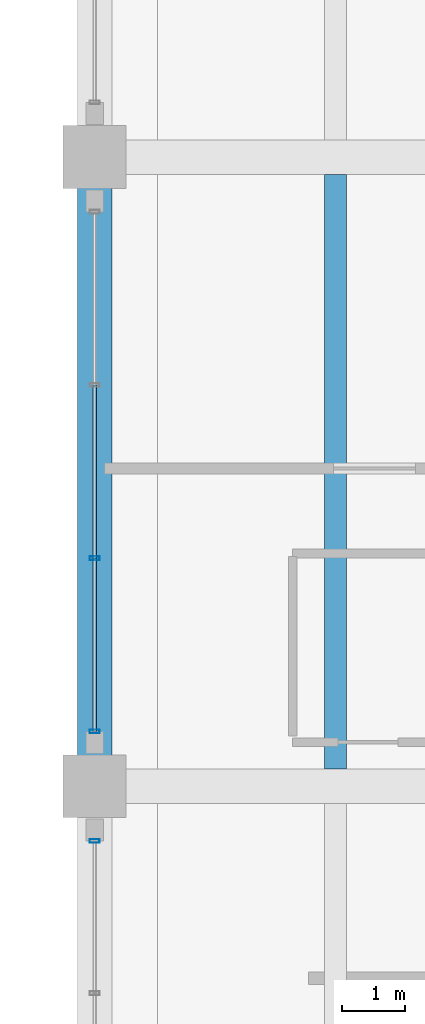
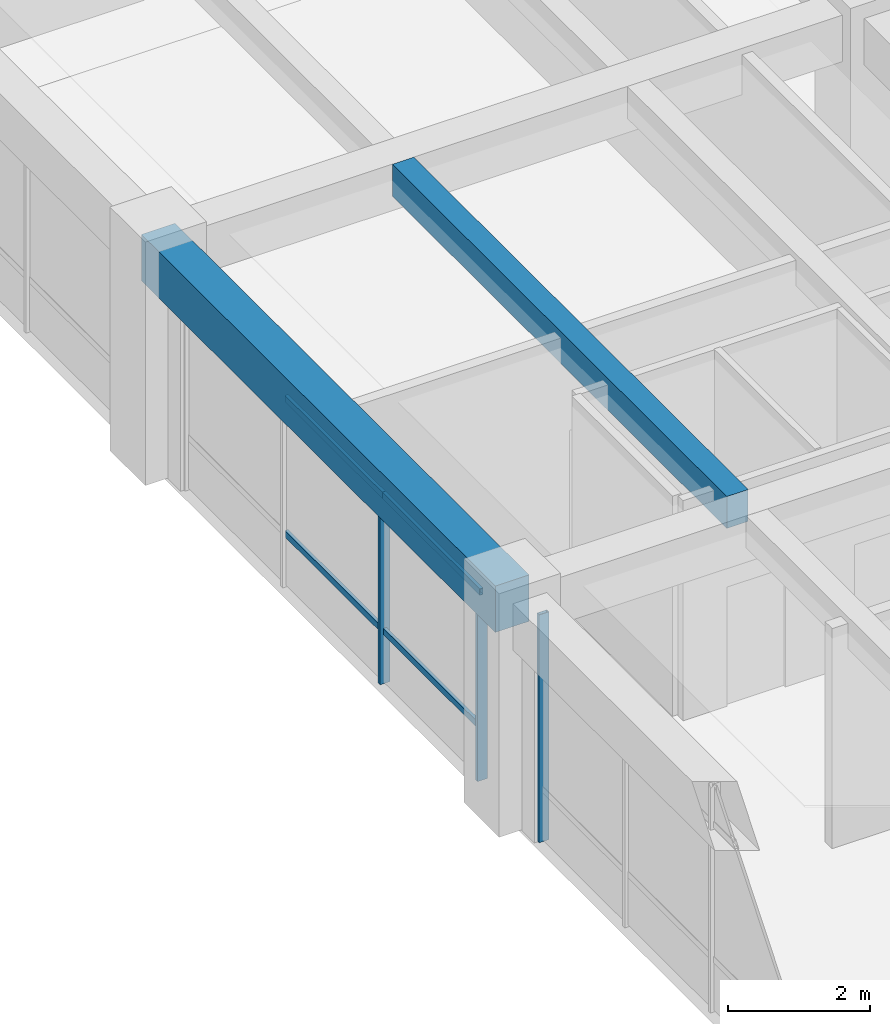
# One storey, part 38 of 98: 7 members, 2 beams, 2 elements without a shape of their own.
"""IFC4 building model written with IfcOpenShell, lengths in metres."""

import ifcopenshell
import ifcopenshell.guid

model = None  # the IFC model being written
_history = None  # IfcOwnerHistory: only IFC2X3 demands one
_inside = {}  # id of a spatial element -> (the spatial element, [elements in it])
_under = {}  # id of a project, library or spatial element -> (it, [spatial elements below it])
_declared = {}  # id of a project -> (the project, [libraries it declares])
_typed = {}  # id of a type object -> (the type object, [elements of that type])
_made_of = {}  # id of a material, layer set ... -> (it, [elements and type objects made of it])


def new_model(schema):
    """Start an empty IFC model of exactly this schema.

    Asked for "IFC4X3", IfcOpenShell would pick the latest addendum, in which some entities
    have other attributes; the version numbers below select the first issue.
    IFC2X3 requires an IfcOwnerHistory on every rooted entity: one is made here for all.
    """
    global model, _history
    if schema == "IFC4X3":
        model = ifcopenshell.file(schema_version=(4, 3, 0, 0))
    else:
        model = ifcopenshell.file(schema=schema)
    _inside.clear()
    _under.clear()
    _declared.clear()
    _typed.clear()
    _made_of.clear()
    _history = None
    if model.schema == "IFC2X3":
        org = make("IfcOrganization", Name="unknown")
        user = make(
            "IfcPersonAndOrganization",
            ThePerson=make("IfcPerson", FamilyName="unknown"),
            TheOrganization=org,
        )
        app = make(
            "IfcApplication",
            ApplicationDeveloper=org,
            Version="unknown",
            ApplicationFullName="unknown",
            ApplicationIdentifier="unknown",
        )
        _history = make(
            "IfcOwnerHistory",
            OwningUser=user,
            OwningApplication=app,
            ChangeAction="ADDED",
            CreationDate=0,
        )
    return model


def make(cls, **values):
    """One entity of the class cls with the attributes given. An attribute that is None is left unset."""
    return model.create_entity(
        cls, **{name: value for name, value in values.items() if value is not None}
    )


def rooted(cls, **values):
    """An entity with a GlobalId (a new one), such as an element, a storey or a relation."""
    return make(cls, GlobalId=ifcopenshell.guid.new(), OwnerHistory=_history, **values)


def si_unit(unit_type, name, prefix=None):
    """IfcSIUnit, for example si_unit("LENGTHUNIT", "METRE", prefix="MILLI")."""
    return make("IfcSIUnit", UnitType=unit_type, Prefix=prefix, Name=name)


def assignment(units):
    """IfcUnitAssignment: the units of a project."""
    return None if units is None else make("IfcUnitAssignment", Units=units)


def point(xyz):
    """IfcCartesianPoint."""
    return None if xyz is None else make("IfcCartesianPoint", Coordinates=xyz)


def direction(xyz):
    """IfcDirection."""
    return None if xyz is None else make("IfcDirection", DirectionRatios=xyz)


def frame(location, z_axis=None, x_axis=None):
    """IfcAxis2Placement3D, a coordinate frame: its origin and axes. An axis left out is left unset."""
    return make(
        "IfcAxis2Placement3D",
        Location=point(location),
        Axis=direction(z_axis),
        RefDirection=direction(x_axis),
    )


def frame_2d(location, x_axis=None):
    """IfcAxis2Placement2D, a coordinate frame in the plane: its origin and x axis."""
    return make(
        "IfcAxis2Placement2D", Location=point(location), RefDirection=direction(x_axis)
    )


def origin():
    """The frame at (0, 0, 0) with its axes left unset."""
    return frame((0.0, 0.0, 0.0))


def origin_2d():
    """The frame at (0, 0) in the plane with its x axis left unset."""
    return frame_2d((0.0, 0.0))


def place(relative_to, where):
    """IfcLocalPlacement: puts the frame where relative to a parent placement (None: the world)."""
    return make(
        "IfcLocalPlacement", PlacementRelTo=relative_to, RelativePlacement=where
    )


def context(
    kind, dimensions, precision=None, world=None, true_north=None, identifier=None
):
    """IfcGeometricRepresentationContext, for example the 3D "Model" context."""
    return make(
        "IfcGeometricRepresentationContext",
        ContextIdentifier=identifier,
        ContextType=kind,
        CoordinateSpaceDimension=dimensions,
        Precision=precision,
        WorldCoordinateSystem=world,
        TrueNorth=true_north,
    )


def subcontext(parent, identifier, kind, view, scale=None):
    """IfcGeometricRepresentationSubContext, for example "Body" below "Model"."""
    return make(
        "IfcGeometricRepresentationSubContext",
        ContextIdentifier=identifier,
        ContextType=kind,
        ParentContext=parent,
        TargetScale=scale,
        TargetView=view,
    )


def project(units=None, contexts=None):
    """IfcProject with its units and contexts."""
    return rooted(
        "IfcProject",
        Name="project",
        RepresentationContexts=contexts,
        UnitsInContext=assignment(units),
    )


def spatial(cls, under=None, at=None, **own):
    """A site, building, storey or space (cls), placed at a placement, below another one or the project."""
    s = rooted(cls, ObjectPlacement=at, **own)
    if under is not None:
        _under.setdefault(under.id(), (under, []))[1].append(s)
    return s


def profile(cls, at=None, kind="AREA", **sizes):
    """A parametric profile (cls). Its sizes go by their IFC names, for example OverallWidth=200.0."""
    return make(cls, ProfileType=kind, Position=at, **sizes)


def rectangle(**sizes):
    """IfcRectangleProfileDef."""
    return profile("IfcRectangleProfileDef", **sizes)


def hollow_rectangle(**sizes):
    """IfcRectangleHollowProfileDef."""
    return profile("IfcRectangleHollowProfileDef", **sizes)


def extrude(swept, where, along, depth):
    """IfcExtrudedAreaSolid: the profile swept, set in the frame where, extruded along a direction by depth."""
    return make(
        "IfcExtrudedAreaSolid",
        SweptArea=swept,
        Position=where,
        ExtrudedDirection=direction(along),
        Depth=depth,
    )


def shape(context_of_items, identifier, shape_type, items):
    """IfcShapeRepresentation: the items that make up one representation, for example the "Body"."""
    return make(
        "IfcShapeRepresentation",
        ContextOfItems=context_of_items,
        RepresentationIdentifier=identifier,
        RepresentationType=shape_type,
        Items=items,
    )


def material(Name=None, Category=None):
    """IfcMaterial."""
    return make("IfcMaterial", Name=Name, Category=Category)


def material_profile(
    of_material, cross_section, Name=None, Category=None, Priority=None
):
    """IfcMaterialProfile: a cross section and its material."""
    return make(
        "IfcMaterialProfile",
        Name=Name,
        Material=of_material,
        Profile=cross_section,
        Priority=Priority,
        Category=Category,
    )


def profile_set(profiles, Name=None, composite=None):
    """IfcMaterialProfileSet."""
    return make(
        "IfcMaterialProfileSet",
        Name=Name,
        MaterialProfiles=profiles,
        CompositeProfile=composite,
    )


def made_of(thing, what):
    """Note that an element or type object is made of a material, layer set ...; save() writes the relation."""
    if what is not None:
        _made_of.setdefault(what.id(), (what, []))[1].append(thing)
    return thing


def type_object(cls, material=None, **own):
    """A type object (cls), such as IfcWallType, which elements share."""
    return made_of(rooted(cls, **own), material)


def element(
    cls,
    number,
    at=None,
    inside=None,
    cuts=None,
    type_object=None,
    material=None,
    context=None,
    identifier="Body",
    shape_type=None,
    held_by="IfcProductDefinitionShape",
    body=None,
    shapes=None,
    **own,
):
    """One element of the class cls, such as IfcWall. Its Tag is "e" and its number.

    at: its placement. inside: the storey or other place that contains it. cuts: it is an
    opening in that element (IfcRelVoidsElement). A single representation is given by context,
    identifier, shape_type and body (its items); several are given by shapes. held_by: the class
    of the entity that holds the representations. save() writes the other relations.
    """
    e = rooted(cls, Tag="e%d" % number, ObjectPlacement=at, **own)
    if body is not None:
        shapes = [shape(context, identifier, shape_type, body)]
    if shapes is not None:
        e.Representation = make(held_by, Representations=shapes)
    if inside is not None:
        _inside.setdefault(inside.id(), (inside, []))[1].append(e)
    if cuts is not None:
        rooted(
            "IfcRelVoidsElement", RelatingBuildingElement=cuts, RelatedOpeningElement=e
        )
    if type_object is not None:
        _typed.setdefault(type_object.id(), (type_object, []))[1].append(e)
    return made_of(e, material)


def aggregate(whole, parts):
    """IfcRelAggregates: a whole, such as a stair, and the parts it consists of."""
    return rooted("IfcRelAggregates", RelatingObject=whole, RelatedObjects=parts)


def save(model, path):
    """Write the relations noted so far, then the file.

    IfcRelAggregates (storeys below a building ...), IfcRelContainedInSpatialStructure (elements
    in a storey), IfcRelDefinesByType, IfcRelAssociatesMaterial and IfcRelDeclares: one each for
    every whole, place, type object, material and project.
    """
    for whole, parts in _under.values():
        aggregate(whole, parts)
    for where, things in _inside.values():
        rooted(
            "IfcRelContainedInSpatialStructure",
            RelatedElements=things,
            RelatingStructure=where,
        )
    for kind, things in _typed.values():
        rooted("IfcRelDefinesByType", RelatedObjects=things, RelatingType=kind)
    for what, things in _made_of.values():
        rooted("IfcRelAssociatesMaterial", RelatedObjects=things, RelatingMaterial=what)
    for by, libraries in _declared.values():
        rooted("IfcRelDeclares", RelatingContext=by, RelatedDefinitions=libraries)
    model.write(path)


model = new_model("IFC4")

# Units and contexts
model_context = context("Model", 3, precision=1e-05, world=origin(), true_north=direction((0.0, 1.0)))
body_context = subcontext(model_context, "Body", "Model", "MODEL_VIEW")
ifc_project = project(units=[si_unit("LENGTHUNIT", "METRE"), si_unit("AREAUNIT", "SQUARE_METRE"), si_unit("VOLUMEUNIT", "CUBIC_METRE"), si_unit("PLANEANGLEUNIT", "RADIAN"), si_unit("MASSUNIT", "GRAM", prefix="KILO")], contexts=[model_context])

# Site, building, storey
site_placement = place(None, origin())
site = spatial("IfcSite", under=ifc_project, at=site_placement, CompositionType="ELEMENT")
building_placement = place(site_placement, origin())
building = spatial("IfcBuilding", under=site, at=building_placement, Name="Ologun Quay Terminus", CompositionType="ELEMENT")
storey_placement = place(building_placement, frame((0.0, 0.0, 4.199951171875)))
storey = spatial("IfcBuildingStorey", under=building, at=storey_placement, Name="L01", CompositionType="ELEMENT", Elevation=4.199951171875)

# Curtain wall, member
ifc_material_1 = material(Name="Aluminium 6063-T6", Category="aluminium")
curtain_wall_type = type_object("IfcCurtainWallType", Name="Rain-Garden East Courtyard Curtain Wall L01 9200x3850", PredefinedType="USERDEFINED", material=ifc_material_1)
curtain_wall_1_placement = place(storey_placement, origin())
curtain_wall_1 = element("IfcCurtainWall", 1, at=curtain_wall_1_placement, inside=storey, type_object=curtain_wall_type, Name="CW-18 Curtain Wall CW-L01-128", ObjectType="UNITISED CURTAIN WALL", PredefinedType="USERDEFINED")
ifc_material_2 = material(Name="Aluminium 6063-T6", Category="aluminium")
ifc_material_profile_1 = material_profile(ifc_material_2, hollow_rectangle(XDim=0.06005859375, YDim=0.159912109375, WallThickness=0.00390625, at=origin_2d()), Name="ALU 160x60x4")
ifc_profile_set_1 = profile_set([ifc_material_profile_1], Name="Aluminium 6063-T6")
member_type_1 = type_object("IfcMemberType", Name="Courtyard Screen Mullion 160x65", PredefinedType="MULLION", material=ifc_profile_set_1)
member_1_placement = place(storey_placement, frame((115.0, 93.929931640625, 0.0), z_axis=(0.0, 0.0, 1.0), x_axis=(0.0, 1.0, 0.0)))
member_1 = element("IfcMember", 2, at=member_1_placement, type_object=member_type_1, Name="CW-L01-128 Mullion 4", PredefinedType="MULLION", context=body_context, shape_type="SweptSolid", body=[
    extrude(hollow_rectangle(XDim=0.06005859375, YDim=0.159912109375, WallThickness=0.00390625, at=origin_2d()), origin(), (0.0, 0.0, 1.0), 3.929931640625),
])
aggregate(curtain_wall_1, [member_1])

# Curtain wall, members
curtain_wall_2_placement = place(storey_placement, origin())
curtain_wall_2 = element("IfcCurtainWall", 3, at=curtain_wall_2_placement, inside=storey, type_object=curtain_wall_type, Name="CW-18 Curtain Wall CW-L01-129", ObjectType="UNITISED CURTAIN WALL", PredefinedType="USERDEFINED")
member_2_placement = place(storey_placement, frame((115.0, 95.669921875, 0.0), z_axis=(0.0, 0.0, 1.0), x_axis=(0.0, 1.0, 0.0)))
member_2 = element("IfcMember", 4, at=member_2_placement, type_object=member_type_1, Name="CW-L01-129 Mullion 1", PredefinedType="MULLION", context=body_context, shape_type="SweptSolid", body=[
    extrude(hollow_rectangle(XDim=0.06005859375, YDim=0.159912109375, WallThickness=0.00390625, at=origin_2d()), origin(), (0.0, 0.0, 1.0), 3.929931640625),
])
member_3_placement = place(storey_placement, frame((115.0, 98.42333984375, 0.0), z_axis=(0.0, 0.0, 1.0), x_axis=(0.0, 1.0, 0.0)))
member_3 = element("IfcMember", 5, at=member_3_placement, type_object=member_type_1, Name="CW-L01-129 Mullion 2", PredefinedType="MULLION", context=body_context, shape_type="SweptSolid", body=[
    extrude(hollow_rectangle(XDim=0.06005859375, YDim=0.159912109375, WallThickness=0.00390625, at=origin_2d()), origin(), (0.0, 0.0, 1.0), 3.929931640625),
])
ifc_material_3 = material(Name="Aluminium 6063-T6", Category="aluminium")
ifc_material_profile_2 = material_profile(ifc_material_3, hollow_rectangle(XDim=0.054931640625, YDim=0.110107421875, WallThickness=0.00390625, at=origin_2d()), Name="ALU 110x55x4")
ifc_profile_set_2 = profile_set([ifc_material_profile_2], Name="Aluminium 6063-T6")
member_type_2 = type_object("IfcMemberType", Name="Courtyard Screen Transom 110x55", PredefinedType="USERDEFINED", material=ifc_profile_set_2)
member_4_placement = place(storey_placement, frame((115.0, 95.669921875, 0.900146484375), z_axis=(0.0, 1.0, 0.0), x_axis=(-1.0, 0.0, 0.0)))
member_4 = element("IfcMember", 6, at=member_4_placement, type_object=member_type_2, Name="CW-L01-129 Transom B1-1", ObjectType="TRANSOM", PredefinedType="USERDEFINED", context=body_context, shape_type="SweptSolid", body=[
    extrude(hollow_rectangle(XDim=0.054931640625, YDim=0.110107421875, WallThickness=0.00390625, at=origin_2d()), origin(), (0.0, 0.0, 1.0), 2.75341796875),
])
member_5_placement = place(storey_placement, frame((115.0, 95.669921875, 3.22998046875), z_axis=(0.0, 1.0, 0.0), x_axis=(-1.0, 0.0, 0.0)))
member_5 = element("IfcMember", 7, at=member_5_placement, type_object=member_type_2, Name="CW-L01-129 Transom B1-2", ObjectType="TRANSOM", PredefinedType="USERDEFINED", context=body_context, shape_type="SweptSolid", body=[
    extrude(hollow_rectangle(XDim=0.054931640625, YDim=0.110107421875, WallThickness=0.00390625, at=origin_2d()), origin(), (0.0, 0.0, 1.0), 2.75341796875),
])
member_6_placement = place(storey_placement, frame((115.0, 98.42333984375, 0.900146484375), z_axis=(0.0, 1.0, 0.0), x_axis=(-1.0, 0.0, 0.0)))
member_6 = element("IfcMember", 8, at=member_6_placement, type_object=member_type_2, Name="CW-L01-129 Transom B2-1", ObjectType="TRANSOM", PredefinedType="USERDEFINED", context=body_context, shape_type="SweptSolid", body=[
    extrude(hollow_rectangle(XDim=0.054931640625, YDim=0.110107421875, WallThickness=0.00390625, at=origin_2d()), origin(), (0.0, 0.0, 1.0), 2.75341796875),
])
member_7_placement = place(storey_placement, frame((115.0, 98.42333984375, 3.22998046875), z_axis=(0.0, 1.0, 0.0), x_axis=(-1.0, 0.0, 0.0)))
member_7 = element("IfcMember", 9, at=member_7_placement, type_object=member_type_2, Name="CW-L01-129 Transom B2-2", ObjectType="TRANSOM", PredefinedType="USERDEFINED", context=body_context, shape_type="SweptSolid", body=[
    extrude(hollow_rectangle(XDim=0.054931640625, YDim=0.110107421875, WallThickness=0.00390625, at=origin_2d()), origin(), (0.0, 0.0, 1.0), 2.75341796875),
])
aggregate(curtain_wall_2, [member_2, member_3, member_4, member_5, member_6, member_7])

# Beams
ifc_material_4 = material(Name="Concrete C40/50", Category="concrete")
ifc_material_profile_3 = material_profile(ifc_material_4, rectangle(XDim=0.550048828125, YDim=0.800048828125, at=origin_2d()), Name="RC 550x800")
ifc_profile_set_3 = profile_set([ifc_material_profile_3], Name="Concrete C40/50")
beam_type_1 = type_object("IfcBeamType", Name="Courtyard Wing Primary Girder 550x800", PredefinedType="BEAM", material=ifc_profile_set_3)
beam_1_placement = place(storey_placement, frame((115.0, 94.800048828125, 3.550048828125), z_axis=(0.0, 1.0, 0.0), x_axis=(-1.0, 0.0, 0.0)))
element("IfcBeam", 10, at=beam_1_placement, inside=storey, type_object=beam_type_1, Name="B4 Beam 11/H L01", PredefinedType="BEAM", context=body_context, shape_type="SweptSolid", body=[
    extrude(rectangle(XDim=0.550048828125, YDim=0.800048828125, at=origin_2d()), origin(), (0.0, 0.0, 1.0), 10.0),
])
ifc_material_5 = material(Name="Concrete C40/50", Category="concrete")
ifc_material_profile_4 = material_profile(ifc_material_5, rectangle(XDim=0.35009765625, YDim=0.550048828125, at=origin_2d()), Name="RC 350x550")
ifc_profile_set_4 = profile_set([ifc_material_profile_4], Name="Concrete C40/50")
beam_type_2 = type_object("IfcBeamType", Name="Courtyard Wing Secondary Joist 350x550", PredefinedType="JOIST", material=ifc_profile_set_4)
beam_2_placement = place(storey_placement, frame((118.833251953125, 95.074951171875, 3.675048828125), z_axis=(0.0, 1.0, 0.0), x_axis=(-1.0, 0.0, 0.0)))
element("IfcBeam", 11, at=beam_2_placement, inside=storey, type_object=beam_type_2, Name="J2 Beam 11/H L01", PredefinedType="JOIST", context=body_context, shape_type="SweptSolid", body=[
    extrude(rectangle(XDim=0.35009765625, YDim=0.550048828125, at=origin_2d()), origin(), (0.0, 0.0, 1.0), 9.449951171875),
])

save(model, "model.ifc")
